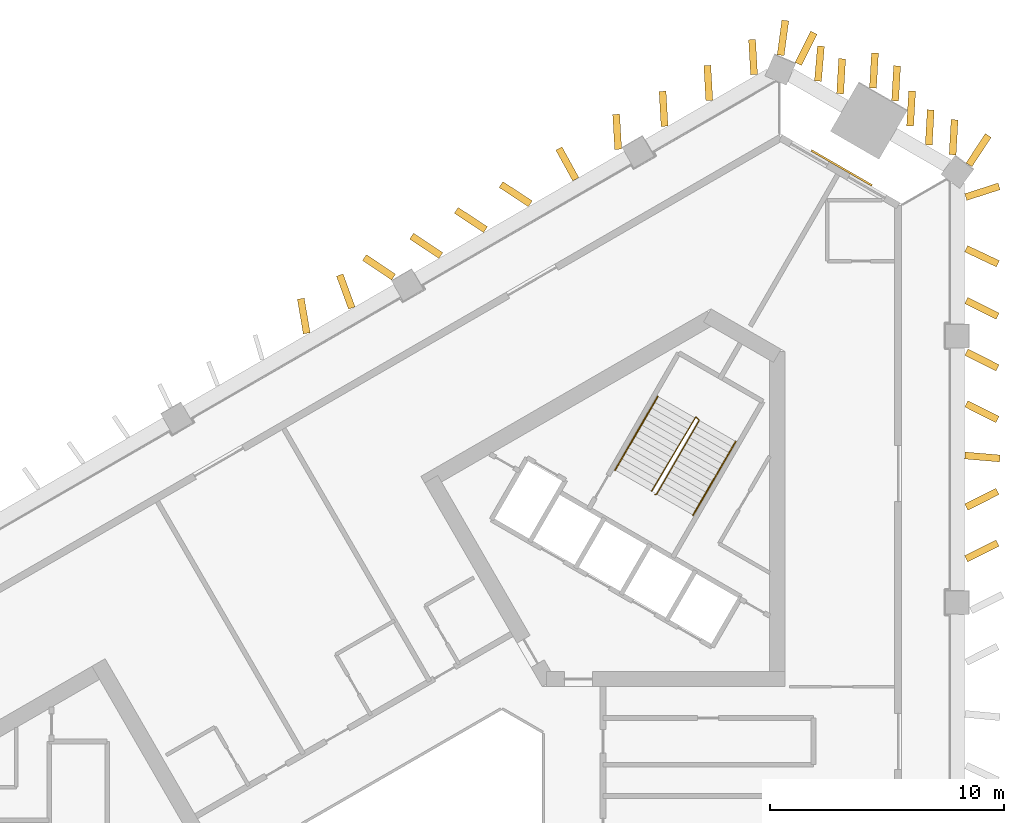
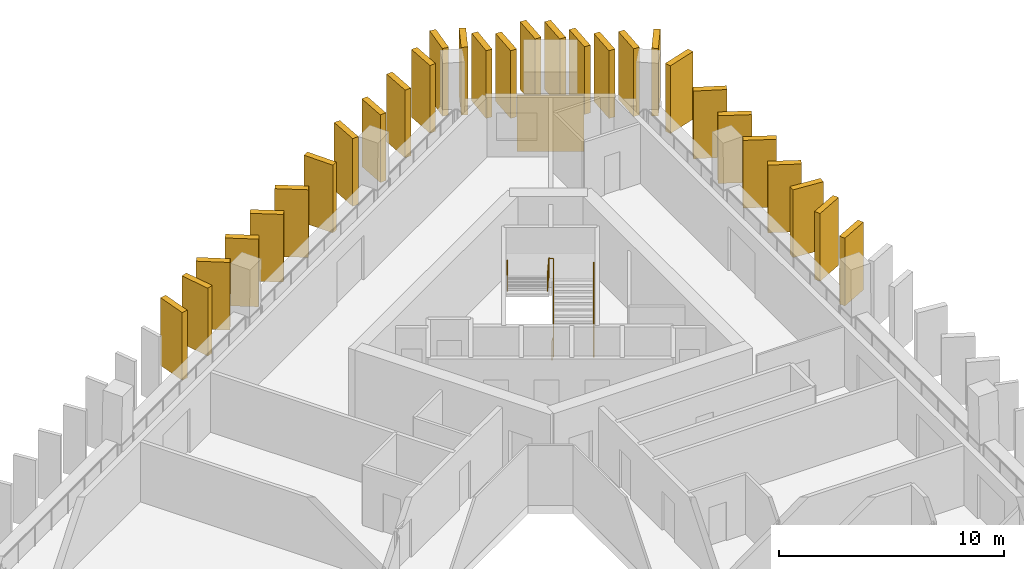
# One storey, part 10 of 10: 29 shading devices, 3 railings, 1 covering.
"""IFC4 building model written with IfcOpenShell, lengths in metres."""

from ifc_helpers import new_model, si_unit, direction, frame, frame_2d, origin, origin_2d, place, context, subcontext, project, spatial, rectangle, circle, extrude, material, layer, layer_set, type_object, element, save


model = new_model("IFC4")

# Units and contexts
model_context = context("Model", 3, precision=1e-05, world=origin(), true_north=direction((0.0, 1.0)))
body_context = subcontext(model_context, "Body", "Model", "MODEL_VIEW")
ifc_project = project(units=[si_unit("LENGTHUNIT", "METRE"), si_unit("AREAUNIT", "SQUARE_METRE"), si_unit("VOLUMEUNIT", "CUBIC_METRE"), si_unit("PLANEANGLEUNIT", "RADIAN"), si_unit("MASSUNIT", "GRAM", prefix="KILO")], contexts=[model_context])

# Site, building, storey
site_placement = place(None, origin())
site = spatial("IfcSite", under=ifc_project, at=site_placement, CompositionType="ELEMENT")
building_placement = place(site_placement, origin())
building = spatial("IfcBuilding", under=site, at=building_placement, Name="Jabali Bay Hotel Tower and Convention Centre", CompositionType="ELEMENT")
storey_placement = place(building_placement, frame((0.0, 0.0, 117.89990234375)))
storey = spatial("IfcBuildingStorey", under=building, at=storey_placement, Name="L28", CompositionType="ELEMENT", Elevation=117.89990234375)

# Shading devices
ifc_material_1 = material(Name="Precast concrete C60", Category="concrete")
ifc_layer_1 = layer(ifc_material_1, 0.300048828125)
ifc_layer_set_1 = layer_set([ifc_layer_1], Name="Precast concrete C60")
shading_device_type = type_object("IfcShadingDeviceType", Name="Precast fin 3680 x 1500", PredefinedType="USERDEFINED", material=ifc_layer_set_1)
shading_device_1_placement = place(storey_placement, frame((97.63525390625, 93.259521484375, 0.010009765625), z_axis=(0.0, 0.0, 1.0), x_axis=(0.893317571028, 0.449425986445, 0.0)))
element("IfcShadingDevice", 1, at=shading_device_1_placement, inside=storey, type_object=shading_device_type, Name="Fin L28 019", ObjectType="FIN", PredefinedType="USERDEFINED", context=body_context, shape_type="SweptSolid", body=[
    extrude(rectangle(XDim=1.499755859375, YDim=0.300048828125, at=frame_2d((0.75, 0.0))), origin(), (0.0, 0.0, 1.0), 3.68017578125),
])
for number, where, z_axis, x_axis, name in (
    (2, (97.63525390625, 95.46923828125, 0.010009765625), (0.0, 0.0, 1.0), (0.893186849307, 0.449685726063, 0.0), "Fin L28 020"),
    (3, (97.58056640625, 97.67919921875, 0.010009765625), (0.0, 0.0, 1.0), (0.996398299797, -0.084796392387, 0.0), "Fin L28 021"),
    (4, (97.63525390625, 99.88916015625, 0.010009765625), (0.0, 0.0, 1.0), (0.893186849307, -0.449685726063, 0.0), "Fin L28 022"),
    (5, (97.639404296875, 102.09912109375, 0.010009765625), (0.0, 0.0, 1.0), (0.893186849307, -0.449685726063, 0.0), "Fin L28 023"),
    (6, (97.63525390625, 104.308837890625, 0.010009765625), (0.0, 0.0, 1.0), (0.893252214826, -0.449555870508, 0.0), "Fin L28 024"),
    (7, (97.6318359375, 106.518798828125, 0.010009765625), (0.0, 0.0, 1.0), (0.904072266505, -0.427379616893, 0.0), "Fin L28 025"),
    (8, (97.61376953125, 108.728759765625, 0.010009765625), (0.0, 0.0, 1.0), (0.951777621698, 0.30678878538, 0.0), "Fin L28 026"),
    (9, (97.052001953125, 110.5400390625, 0.010009765625), (0.0, 0.0, 1.0), (0.057128587682, 0.99836682861, 0.0), "Fin L28 027"),
    (10, (96.031982421875, 110.960693359375, 0.010009765625), (0.0, 0.0, 1.0), (0.057128587682, 0.99836682861, 0.0), "Fin L28 028"),
    (11, (95.23681640625, 111.7705078125, 0.010009765625), (0.0, 0.0, 1.0), (0.057128587682, 0.99836682861, 0.0), "Fin L28 029"),
):
    element("IfcShadingDevice", number, at=place(storey_placement, frame(where, z_axis=z_axis, x_axis=x_axis)), inside=storey, type_object=shading_device_type, Name=name, ObjectType="FIN", PredefinedType="USERDEFINED", context=body_context, shape_type="SweptSolid", body=[
        extrude(rectangle(XDim=1.5, YDim=0.300048828125, at=frame_2d((0.75, 0.0))), origin(), (0.0, 0.0, 1.0), 3.68017578125),
    ])
shading_device_2_placement = place(storey_placement, frame((94.593994140625, 112.844482421875, 0.010009765625), z_axis=(0.0, 0.0, 1.0), x_axis=(0.057300124465, 0.998356998141, 0.0)))
element("IfcShadingDevice", 12, at=shading_device_2_placement, inside=storey, type_object=shading_device_type, Name="Fin L28 030", ObjectType="FIN", PredefinedType="USERDEFINED", context=body_context, shape_type="SweptSolid", body=[
    extrude(rectangle(XDim=1.499755859375, YDim=0.300048828125, at=frame_2d((0.75, 0.0))), origin(), (0.0, 0.0, 1.0), 3.68017578125),
])
for number, where, z_axis, x_axis, name in (
    (13, (93.64697265625, 113.39111328125, 0.010009765625), (0.0, 0.0, 1.0), (0.057290813732, 0.998357532481, 0.0), "Fin L28 031"),
    (14, (92.24365234375, 113.147705078125, 0.010009765625), (0.0, 0.0, 1.0), (0.057290813732, 0.998357532481, 0.0), "Fin L28 032"),
    (15, (91.294921875, 113.691162109375, 0.010009765625), (0.0, 0.0, 1.0), (0.084473205626, 0.996425751138, 0.0), "Fin L28 033"),
    (16, (90.453369140625, 114.4208984375, 0.010009765625), (0.0, 0.0, 1.0), (0.446432209239, 0.894817457672, 0.0), "Fin L28 034"),
    (17, (88.562255859375, 113.967041015625, 0.010009765625), (0.0, 0.0, 1.0), (-0.057290813732, 0.998357532481, 0.0), "Fin L28 035"),
    (18, (86.6484375, 112.862060546875, 0.010009765625), (0.0, 0.0, 1.0), (-0.057290813732, 0.998357532481, 0.0), "Fin L28 036"),
    (19, (84.734619140625, 111.757080078125, 0.010009765625), (0.0, 0.0, 1.0), (-0.057290813732, 0.998357532481, 0.0), "Fin L28 037"),
    (20, (82.751220703125, 110.772705078125, 0.010009765625), (0.0, 0.0, 1.0), (-0.057290813732, 0.998357532481, 0.0), "Fin L28 038"),
    (21, (80.93896484375, 109.49169921875, 0.010009765625), (0.0, 0.0, 1.0), (-0.481768791335, 0.876298369105, 0.0), "Fin L28 039"),
    (22, (78.9931640625, 108.4423828125, 0.010009765625), (0.0, 0.0, 1.0), (-0.83593590558, 0.548827078196, 0.0), "Fin L28 040"),
):
    element("IfcShadingDevice", number, at=place(storey_placement, frame(where, z_axis=z_axis, x_axis=x_axis)), inside=storey, type_object=shading_device_type, Name=name, ObjectType="FIN", PredefinedType="USERDEFINED", context=body_context, shape_type="SweptSolid", body=[
        extrude(rectangle(XDim=1.5, YDim=0.300048828125, at=frame_2d((0.75, 0.0))), origin(), (0.0, 0.0, 1.0), 3.68017578125),
    ])
shading_device_3_placement = place(storey_placement, frame((77.079345703125, 107.337158203125, 0.010009765625), z_axis=(0.0, 0.0, 1.0), x_axis=(-0.835538983684, 0.549431166521, 0.0)))
element("IfcShadingDevice", 23, at=shading_device_3_placement, inside=storey, type_object=shading_device_type, Name="Fin L28 041", ObjectType="FIN", PredefinedType="USERDEFINED", context=body_context, shape_type="SweptSolid", body=[
    extrude(rectangle(XDim=1.500244140625, YDim=0.300048828125, at=frame_2d((0.75, 0.0))), origin(), (0.0, 0.0, 1.0), 3.68017578125),
])
for number, where, z_axis, x_axis, name in (
    (24, (75.16552734375, 106.232177734375, 0.010009765625), (0.0, 0.0, 1.0), (-0.834521094661, 0.550975990916, 0.0), "Fin L28 042"),
    (25, (73.1484375, 105.305908203125, 0.010009765625), (0.0, 0.0, 1.0), (-0.83009197877, 0.557626493974, 0.0), "Fin L28 043"),
    (26, (71.3583984375, 103.986572265625, 0.010009765625), (0.0, 0.0, 1.0), (-0.342422477718, 0.939546085487, 0.0), "Fin L28 044"),
    (27, (69.431640625, 102.904296875, 0.010009765625), (0.0, 0.0, 1.0), (-0.168620470639, 0.985681052309, 0.0), "Fin L28 045"),
    (28, (97.7548828125, 110.110595703125, 0.010009765625), (0.0, 0.0, 1.0), (0.548827078196, 0.83593590558, 0.0), "Fin L28 106"),
    (29, (89.698974609375, 114.795654296875, 0.010009765625), (0.0, 0.0, 1.0), (0.133144530303, 0.991096632045, 0.0), "Fin L28 107"),
):
    element("IfcShadingDevice", number, at=place(storey_placement, frame(where, z_axis=z_axis, x_axis=x_axis)), inside=storey, type_object=shading_device_type, Name=name, ObjectType="FIN", PredefinedType="USERDEFINED", context=body_context, shape_type="SweptSolid", body=[
        extrude(rectangle(XDim=1.5, YDim=0.300048828125, at=frame_2d((0.75, 0.0))), origin(), (0.0, 0.0, 1.0), 3.68017578125),
    ])

# Covering
ifc_material_2 = material(Name="Precast concrete C40/50", Category="concrete")
ifc_layer_2 = layer(ifc_material_2, 0.080078125)
ifc_layer_set_2 = layer_set([ifc_layer_2], Name="Precast concrete C40/50")
covering_type = type_object("IfcCoveringType", Name="Relief panel 3000 x 3050", PredefinedType="CLADDING", material=ifc_layer_set_2)
covering_placement = place(storey_placement, frame((92.30712890625, 109.97705078125, 0.10009765625), z_axis=(0.0, 0.0, 1.0), x_axis=(0.866025383949, -0.500000034356, 0.0)))
element("IfcCovering", 30, at=covering_placement, inside=storey, type_object=covering_type, Name="Relief panel L28", PredefinedType="CLADDING", context=body_context, shape_type="SweptSolid", body=[
    extrude(rectangle(XDim=3.0, YDim=0.080078125, at=origin_2d()), origin(), (0.0, 0.0, 1.0), 3.050048828125),
])

# Railings
ifc_material_3 = material(Name="Steel Q355B", Category="steel")
railing_type_1 = type_object("IfcRailingType", Name="Stair guard 1100", PredefinedType="GUARDRAIL", material=ifc_material_3)
railing_1_placement = place(storey_placement, frame((84.329833984375, 96.010009765625, 0.0)))
element("IfcRailing", 31, at=railing_1_placement, inside=storey, type_object=railing_type_1, Name="L28 ST2 stair guard 1", PredefinedType="GUARDRAIL", context=body_context, shape_type="SweptSolid", body=[
    extrude(circle(Radius=0.02392578125, at=origin_2d()), frame((0.0, 0.0, 1.076171875), z_axis=(0.455547195254, 0.122021570157, 0.88180921367), x_axis=(-0.258736085224, 0.965948051503, 0.0)), (0.0, 0.0, 1.0), 0.150146484375),
    extrude(circle(Radius=0.02392578125, at=origin_2d()), frame((0.068359375, 0.018310546875, 1.20849609375), z_axis=(0.452190331055, 0.783190014029, 0.426775475427), x_axis=(-0.866018046521, 0.500012742938, 0.0)), (0.0, 0.0, 1.0), 4.02490234375),
    extrude(circle(Radius=0.02392578125, at=origin_2d()), frame((1.888427734375, 3.170654296875, 2.92626953125), z_axis=(-0.718850276695, 0.695164929852, 0.0), x_axis=(-0.695164929852, -0.718850276695, 0.0)), (0.0, 0.0, 1.0), 0.2060546875),
    extrude(circle(Radius=0.02392578125, at=origin_2d()), frame((1.740234375, 3.31396484375, 2.92626953125), z_axis=(-0.457445338502, -0.768046879266, 0.448160410493), x_axis=(0.859157857954, -0.511710636118, 0.0)), (0.0, 0.0, 1.0), 4.128173828125),
    extrude(circle(Radius=0.02099609375, at=origin_2d()), origin(), (0.0, 0.0, 1.0), 1.052001953125),
    extrude(circle(Radius=0.02099609375, at=origin_2d()), frame((0.068359375, 0.018310546875, 0.13232421875)), (0.0, 0.0, 1.0), 1.052001953125),
    extrude(circle(Radius=0.02099609375, at=origin_2d()), frame((0.5234375, 0.806396484375, 0.561767578125)), (0.0, 0.0, 1.0), 1.052001953125),
    extrude(circle(Radius=0.02099609375, at=origin_2d()), frame((0.978515625, 1.594482421875, 0.9912109375)), (0.0, 0.0, 1.0), 1.052001953125),
    extrude(circle(Radius=0.02099609375, at=origin_2d()), frame((1.433349609375, 2.382568359375, 1.420654296875)), (0.0, 0.0, 1.0), 1.052001953125),
    extrude(circle(Radius=0.02099609375, at=origin_2d()), frame((1.888427734375, 3.170654296875, 1.85009765625)), (0.0, 0.0, 1.0), 1.052001953125),
    extrude(circle(Radius=0.02099609375, at=origin_2d()), frame((1.740234375, 3.31396484375, 1.85009765625)), (0.0, 0.0, 1.0), 1.052001953125),
    extrude(circle(Radius=0.02099609375, at=origin_2d()), frame((1.26806640625, 2.521240234375, 2.3125)), (0.0, 0.0, 1.0), 1.052001953125),
    extrude(circle(Radius=0.02099609375, at=origin_2d()), frame((0.7958984375, 1.728515625, 2.775146484375)), (0.0, 0.0, 1.0), 1.052001953125),
    extrude(circle(Radius=0.02099609375, at=origin_2d()), frame((0.323974609375, 0.93603515625, 3.23779296875)), (0.0, 0.0, 1.0), 1.052001953125),
    extrude(circle(Radius=0.02099609375, at=origin_2d()), frame((-0.148193359375, 0.143310546875, 3.7001953125)), (0.0, 0.0, 1.0), 1.052001953125),
])
railing_type_2 = type_object("IfcRailingType", Name="Stair handrail 900", PredefinedType="HANDRAIL", material=ifc_material_3)
railing_2_placement = place(storey_placement, frame((85.95703125, 95.128173828125, 0.13232421875)))
element("IfcRailing", 32, at=railing_2_placement, inside=storey, type_object=railing_type_2, Name="L28 ST2 stair handrail 1", PredefinedType="HANDRAIL", context=body_context, shape_type="SweptSolid", body=[
    extrude(circle(Radius=0.02392578125, at=origin_2d()), frame((0.0, 0.0, 0.8759765625), z_axis=(0.452190331055, 0.783190014029, 0.426775475427), x_axis=(-0.866018046521, 0.500012742938, 0.0)), (0.0, 0.0, 1.0), 4.02490234375),
    extrude(circle(Radius=0.02099609375, at=origin_2d()), origin(), (0.0, 0.0, 1.0), 0.851806640625),
    extrude(circle(Radius=0.02099609375, at=origin_2d()), frame((0.455078125, 0.7880859375, 0.429443359375)), (0.0, 0.0, 1.0), 0.851806640625),
    extrude(circle(Radius=0.02099609375, at=origin_2d()), frame((0.91015625, 1.576171875, 0.85888671875)), (0.0, 0.0, 1.0), 0.851806640625),
    extrude(circle(Radius=0.02099609375, at=origin_2d()), frame((1.364990234375, 2.3642578125, 1.288330078125)), (0.0, 0.0, 1.0), 0.851806640625),
    extrude(circle(Radius=0.02099609375, at=origin_2d()), frame((1.820068359375, 3.15234375, 1.7177734375)), (0.0, 0.0, 1.0), 0.851806640625),
])
railing_3_placement = place(storey_placement, frame((84.44287109375, 100.20556640625, 1.982177734375)))
element("IfcRailing", 33, at=railing_3_placement, inside=storey, type_object=railing_type_2, Name="L28 ST2 stair handrail 2", PredefinedType="HANDRAIL", context=body_context, shape_type="SweptSolid", body=[
    extrude(circle(Radius=0.02392578125, at=origin_2d()), frame((0.0, 0.0, 0.8759765625), z_axis=(-0.45217862506, -0.783169739339, 0.426825081763), x_axis=(0.866018046521, -0.500012742938, 0.0)), (0.0, 0.0, 1.0), 4.025146484375),
    extrude(circle(Radius=0.02099609375, at=origin_2d()), origin(), (0.0, 0.0, 1.0), 0.851806640625),
    extrude(circle(Radius=0.02099609375, at=origin_2d()), frame((-0.455078125, -0.7880859375, 0.429443359375)), (0.0, 0.0, 1.0), 0.851806640625),
    extrude(circle(Radius=0.02099609375, at=origin_2d()), frame((-0.91015625, -1.576171875, 0.85888671875)), (0.0, 0.0, 1.0), 0.851806640625),
    extrude(circle(Radius=0.02099609375, at=origin_2d()), frame((-1.364990234375, -2.3642578125, 1.28857421875)), (0.0, 0.0, 1.0), 0.851806640625),
    extrude(circle(Radius=0.02099609375, at=origin_2d()), frame((-1.820068359375, -3.15234375, 1.718017578125)), (0.0, 0.0, 1.0), 0.851806640625),
])

save(model, "model.ifc")
